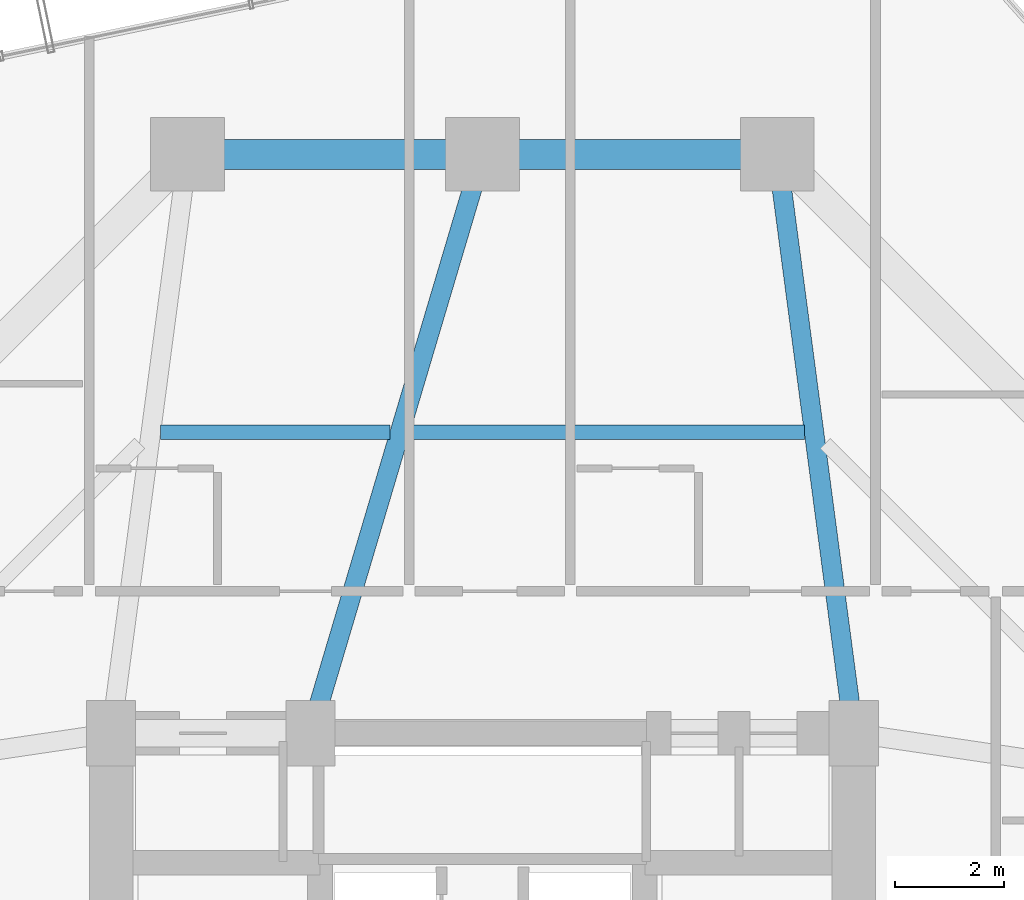
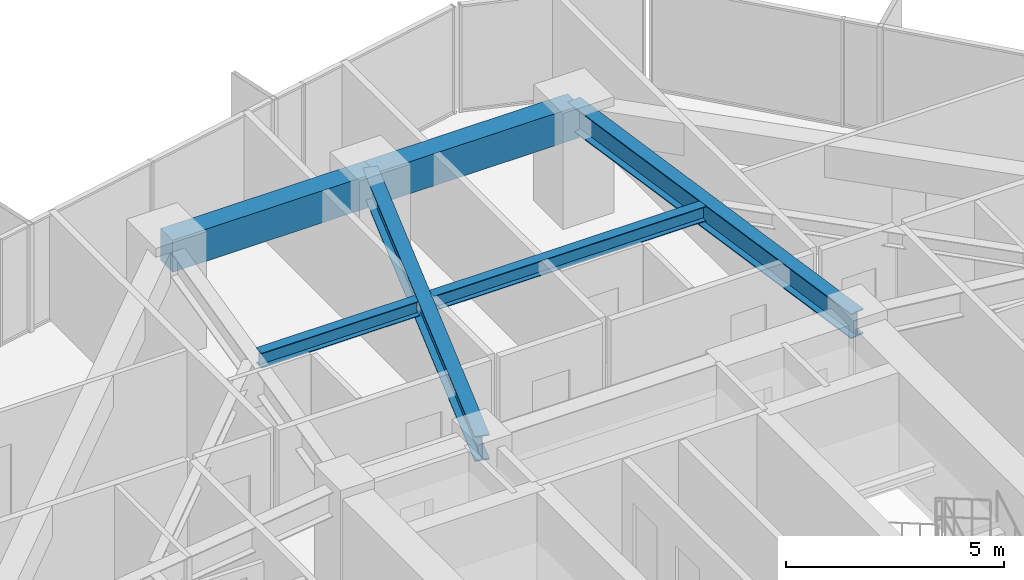
# One storey, part 24 of 38: 6 beams.
"""IFC4 building model written with IfcOpenShell, lengths in metres."""

from ifc_helpers import new_model, si_unit, direction, frame, origin, origin_2d, place, context, subcontext, project, spatial, rectangle, i_section, extrude, material, material_profile, profile_set, type_object, element, save


model = new_model("IFC4")

# Units and contexts
model_context = context("Model", 3, precision=1e-05, world=origin(), true_north=direction((0.0, 1.0)))
body_context = subcontext(model_context, "Body", "Model", "MODEL_VIEW")
ifc_project = project(units=[si_unit("LENGTHUNIT", "METRE"), si_unit("AREAUNIT", "SQUARE_METRE"), si_unit("VOLUMEUNIT", "CUBIC_METRE"), si_unit("PLANEANGLEUNIT", "RADIAN"), si_unit("MASSUNIT", "GRAM", prefix="KILO")], contexts=[model_context])

# Site, building, storey
site_placement = place(None, origin())
site = spatial("IfcSite", under=ifc_project, at=site_placement, CompositionType="ELEMENT")
building_placement = place(site_placement, origin())
building = spatial("IfcBuilding", under=site, at=building_placement, Name="Veraguas Prism Commons", CompositionType="ELEMENT")
storey_placement = place(building_placement, frame((0.0, 0.0, 64.10009765625)))
storey = spatial("IfcBuildingStorey", under=building, at=storey_placement, Name="L17", CompositionType="ELEMENT", Elevation=64.10009765625)

# Beams
ifc_material_1 = material(Name="Steel ASTM A992 Grade 50", Category="steel")
ifc_material_profile_1 = material_profile(ifc_material_1, i_section(OverallWidth=0.260986328125, OverallDepth=0.419921875, WebThickness=0.01171875, FlangeThickness=0.019287109375, at=origin_2d()), Name="W410X114")
ifc_profile_set_1 = profile_set([ifc_material_profile_1], Name="Steel ASTM A992 Grade 50")
beam_type_1 = type_object("IfcBeamType", Name="Lower Floor Joist W410x114", PredefinedType="JOIST", material=ifc_profile_set_1)
beam_1_placement = place(storey_placement, frame((29.89453125, 36.511962890625, 2.789794921875), z_axis=(-1.0, 0.0, 0.0), x_axis=(0.0, -1.0, 0.0)))
element("IfcBeam", 1, at=beam_1_placement, inside=storey, type_object=beam_type_1, Name="Composite Floor Joist L17-JS04", PredefinedType="JOIST", context=body_context, shape_type="SweptSolid", body=[
    extrude(i_section(OverallWidth=0.260986328125, OverallDepth=0.419921875, WebThickness=0.01171875, FlangeThickness=0.019287109375, at=origin_2d()), origin(), (0.0, 0.0, 1.0), 7.222900390625),
])
beam_2_placement = place(storey_placement, frame((22.304443359375, 36.511962890625, 2.789794921875), z_axis=(-1.0, 0.0, 0.0), x_axis=(0.0, -1.0, 0.0)))
element("IfcBeam", 2, at=beam_2_placement, inside=storey, type_object=beam_type_1, Name="Composite Floor Joist L17-JS05", PredefinedType="JOIST", context=body_context, shape_type="SweptSolid", body=[
    extrude(i_section(OverallWidth=0.260986328125, OverallDepth=0.419921875, WebThickness=0.01171875, FlangeThickness=0.019287109375, at=origin_2d()), origin(), (0.0, 0.0, 1.0), 4.198974609375),
])
ifc_material_2 = material(Name="Concrete C50/60", Category="concrete")
ifc_material_profile_2 = material_profile(ifc_material_2, rectangle(XDim=0.550048828125, YDim=0.89990234375, at=origin_2d()), Name="RC550X900")
ifc_profile_set_2 = profile_set([ifc_material_profile_2], Name="Concrete C50/60")
beam_type_2 = type_object("IfcBeamType", Name="Perimeter Spandrel Lower RC 550x900", PredefinedType="SPANDREL", material=ifc_profile_set_2)
for number, where, z_axis, x_axis, name in (
    (3, (29.39990234375, 41.60009765625, 2.5498046875), (-1.0, 0.0, 0.0), (0.0, -1.0, 0.0), "Perimeter Spandrel Beam L17-SP04"),
    (4, (24.0, 41.60009765625, 2.5498046875), (-1.0, 0.0, 0.0), (0.0, -1.0, 0.0), "Perimeter Spandrel Beam L17-SP05"),
):
    element("IfcBeam", number, at=place(storey_placement, frame(where, z_axis=z_axis, x_axis=x_axis)), inside=storey, type_object=beam_type_2, Name=name, PredefinedType="SPANDREL", context=body_context, shape_type="SweptSolid", body=[
        extrude(rectangle(XDim=0.550048828125, YDim=0.89990234375, at=origin_2d()), origin(), (0.0, 0.0, 1.0), 5.39990234375),
    ])
ifc_material_profile_3 = material_profile(ifc_material_1, i_section(OverallWidth=0.35595703125, OverallDepth=0.700927734375, WebThickness=0.016845703125, FlangeThickness=0.02734375, at=origin_2d()), Name="W690X240")
ifc_profile_set_3 = profile_set([ifc_material_profile_3], Name="Steel ASTM A992 Grade 50")
beam_type_3 = type_object("IfcBeamType", Name="Zone 1 Radial Girder W690x240", PredefinedType="BEAM", material=ifc_profile_set_3)
beam_3_placement = place(storey_placement, frame((29.39990234375, 41.60009765625, 2.6494140625), z_axis=(0.130950648891, -0.991388888154, 0.0), x_axis=(0.991388888154, 0.130950648891, 0.0)))
element("IfcBeam", 5, at=beam_3_placement, inside=storey, type_object=beam_type_3, Name="Radial Floor Girder L17-RD04", PredefinedType="BEAM", context=body_context, shape_type="SweptSolid", body=[
    extrude(i_section(OverallWidth=0.35595703125, OverallDepth=0.700927734375, WebThickness=0.016845703125, FlangeThickness=0.02734375, at=origin_2d()), origin(), (0.0, 0.0, 1.0), 10.692138671875),
])
beam_4_placement = place(storey_placement, frame((24.0, 41.60009765625, 2.6494140625), z_axis=(-0.28484745997, -0.958572858237, 0.0), x_axis=(0.958572858237, -0.28484745997, 0.0)))
element("IfcBeam", 6, at=beam_4_placement, inside=storey, type_object=beam_type_3, Name="Radial Floor Girder L17-RD05", PredefinedType="BEAM", context=body_context, shape_type="SweptSolid", body=[
    extrude(i_section(OverallWidth=0.35595703125, OverallDepth=0.700927734375, WebThickness=0.016845703125, FlangeThickness=0.02734375, at=origin_2d()), origin(), (0.0, 0.0, 1.0), 11.05810546875),
])

save(model, "model.ifc")
